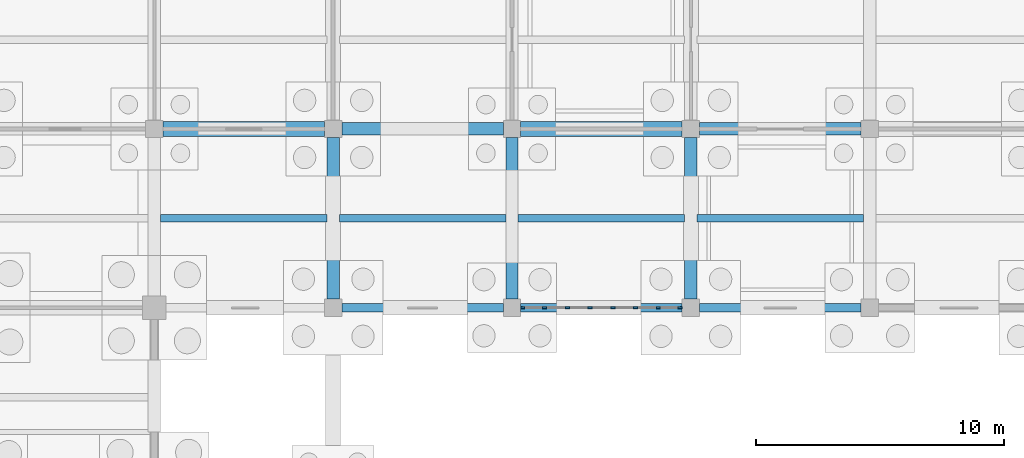
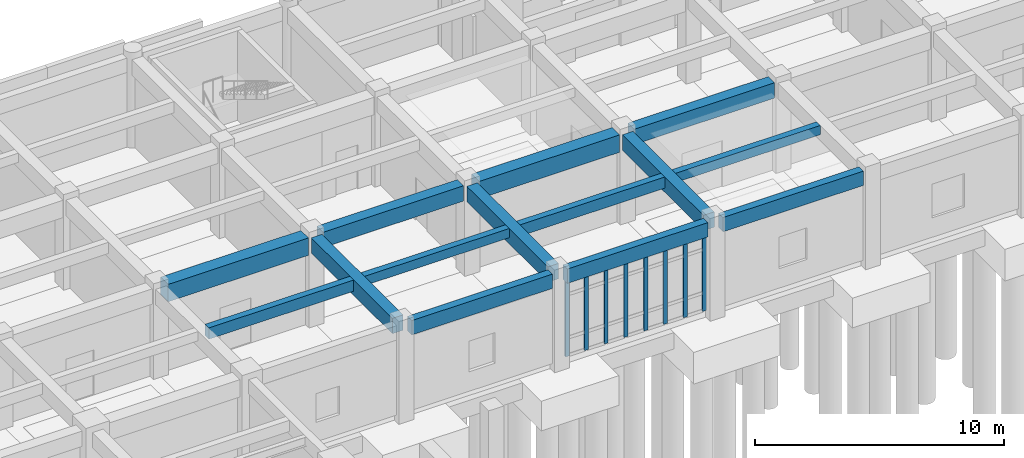
# One storey, part 29 of 79: 14 beams, 8 members, 1 element without a shape of its own.
"""IFC4 building model written with IfcOpenShell, lengths in metres."""

from ifc_helpers import new_model, si_unit, direction, frame, origin, origin_2d, place, context, subcontext, project, spatial, rectangle, extrude, material, layer, layer_set, material_profile, profile_set, type_object, element, aggregate, save


model = new_model("IFC4")

# Units and contexts
model_context = context("Model", 3, precision=1e-05, world=origin(), true_north=direction((0.0, 1.0)))
body_context = subcontext(model_context, "Body", "Model", "MODEL_VIEW")
ifc_project = project(units=[si_unit("LENGTHUNIT", "METRE"), si_unit("AREAUNIT", "SQUARE_METRE"), si_unit("VOLUMEUNIT", "CUBIC_METRE"), si_unit("PLANEANGLEUNIT", "RADIAN"), si_unit("MASSUNIT", "GRAM", prefix="KILO")], contexts=[model_context])

# Site, building, storey
site_placement = place(None, origin())
site = spatial("IfcSite", under=ifc_project, at=site_placement, CompositionType="ELEMENT")
building_placement = place(site_placement, origin())
building = spatial("IfcBuilding", under=site, at=building_placement, Name="Kavelor Marine Aquarium", CompositionType="ELEMENT")
storey_placement = place(building_placement, origin())
storey = spatial("IfcBuildingStorey", under=building, at=storey_placement, Name="L00", CompositionType="ELEMENT", Elevation=0.0)

# Beams
ifc_material_1 = material(Name="Concrete C40/50", Category="concrete")
ifc_material_profile_1 = material_profile(ifc_material_1, rectangle(XDim=0.60009765625, YDim=0.85009765625, at=origin_2d()), Name="RC-BM 600x850")
ifc_profile_set_1 = profile_set([ifc_material_profile_1], Name="Concrete C40/50")
beam_type_1 = type_object("IfcBeamType", Name="BM-B1", PredefinedType="BEAM", material=ifc_profile_set_1)
for number, where, z_axis, x_axis, name in (
    (1, (39.550048828125, 96.39990234375, 3.955078125), (1.0, 0.0, 0.0), (0.0, 1.0, 0.0), "bm:x:L00:L01:05_13"),
    (2, (53.949951171875, 96.39990234375, 3.955078125), (1.0, 0.0, 0.0), (0.0, 1.0, 0.0), "bm:x:L00:L01:07_13"),
):
    element("IfcBeam", number, at=place(storey_placement, frame(where, z_axis=z_axis, x_axis=x_axis)), inside=storey, type_object=beam_type_1, Name=name, PredefinedType="BEAM", context=body_context, shape_type="SweptSolid", body=[
        extrude(rectangle(XDim=0.60009765625, YDim=0.85009765625, at=origin_2d()), origin(), (0.0, 0.0, 1.0), 6.5),
    ])
ifc_material_2 = material(Name="Concrete C40/50", Category="concrete")
ifc_material_profile_2 = material_profile(ifc_material_2, rectangle(XDim=0.5, YDim=0.75, at=origin_2d()), Name="RC-BM 500x750")
ifc_profile_set_2 = profile_set([ifc_material_profile_2], Name="Concrete C40/50")
beam_type_2 = type_object("IfcBeamType", Name="BM-B2", PredefinedType="BEAM", material=ifc_profile_set_2)
for number, where, z_axis, x_axis, name in (
    (3, (46.75, 96.39990234375, 4.0048828125), (1.0, 0.0, 0.0), (0.0, 1.0, 0.0), "bm:x:L00:L01:06_13"),
    (4, (61.14990234375, 96.39990234375, 4.0048828125), (1.0, 0.0, 0.0), (0.0, 1.0, 0.0), "bm:x:L00:L01:08_13"),
    (5, (46.39990234375, 89.550048828125, 4.0048828125), (0.0, 1.0, 0.0), (-1.0, 0.0, 0.0), "bm:y:L00:L01:06_12"),
    (6, (53.60009765625, 89.550048828125, 4.0048828125), (0.0, 1.0, 0.0), (-1.0, 0.0, 0.0), "bm:y:L00:L01:07_12"),
    (7, (60.800048828125, 89.550048828125, 4.0048828125), (0.0, 1.0, 0.0), (-1.0, 0.0, 0.0), "bm:y:L00:L01:08_12"),
):
    element("IfcBeam", number, at=place(storey_placement, frame(where, z_axis=z_axis, x_axis=x_axis)), inside=storey, type_object=beam_type_2, Name=name, PredefinedType="BEAM", context=body_context, shape_type="SweptSolid", body=[
        extrude(rectangle(XDim=0.5, YDim=0.75, at=origin_2d()), origin(), (0.0, 0.0, 1.0), 6.5),
    ])
ifc_material_3 = material(Name="Concrete C40/50", Category="concrete")
ifc_material_profile_3 = material_profile(ifc_material_3, rectangle(XDim=0.300048828125, YDim=0.449951171875, at=origin_2d()), Name="RC-JS 300x450")
ifc_profile_set_3 = profile_set([ifc_material_profile_3], Name="Concrete C40/50")
beam_type_3 = type_object("IfcBeamType", Name="BM-JS1", PredefinedType="JOIST", material=ifc_profile_set_3)
beam_1_placement = place(storey_placement, frame((46.64990234375, 92.800048828125, 4.155029296875), z_axis=(1.0, 0.0, 0.0), x_axis=(0.0, 1.0, 0.0)))
element("IfcBeam", 8, at=beam_1_placement, inside=storey, type_object=beam_type_3, Name="js:L00:L01:06_12", PredefinedType="JOIST", context=body_context, shape_type="SweptSolid", body=[
    extrude(rectangle(XDim=0.300048828125, YDim=0.449951171875, at=origin_2d()), origin(), (0.0, 0.0, 1.0), 6.7001953125),
])
beam_2_placement = place(storey_placement, frame((61.050048828125, 92.800048828125, 4.155029296875), z_axis=(1.0, 0.0, 0.0), x_axis=(0.0, 1.0, 0.0)))
element("IfcBeam", 9, at=beam_2_placement, inside=storey, type_object=beam_type_3, Name="js:L00:L01:08_12", PredefinedType="JOIST", context=body_context, shape_type="SweptSolid", body=[
    extrude(rectangle(XDim=0.300048828125, YDim=0.449951171875, at=origin_2d()), origin(), (0.0, 0.0, 1.0), 6.699951171875),
])
ifc_material_4 = material(Name="Concrete C40/50", Category="concrete")
ifc_material_profile_4 = material_profile(ifc_material_4, rectangle(XDim=0.300048828125, YDim=0.550048828125, at=origin_2d()), Name="RC-JS 300x550")
ifc_profile_set_4 = profile_set([ifc_material_profile_4], Name="Concrete C40/50")
beam_type_4 = type_object("IfcBeamType", Name="BM-JS2", PredefinedType="JOIST", material=ifc_profile_set_4)
for number, where, z_axis, x_axis, name in (
    (10, (39.449951171875, 92.800048828125, 4.10498046875), (1.0, 0.0, 0.0), (0.0, 1.0, 0.0), "js:L00:L01:05_12"),
    (11, (53.85009765625, 92.800048828125, 4.10498046875), (1.0, 0.0, 0.0), (0.0, 1.0, 0.0), "js:L00:L01:07_12"),
):
    element("IfcBeam", number, at=place(storey_placement, frame(where, z_axis=z_axis, x_axis=x_axis)), inside=storey, type_object=beam_type_4, Name=name, PredefinedType="JOIST", context=body_context, shape_type="SweptSolid", body=[
        extrude(rectangle(XDim=0.300048828125, YDim=0.550048828125, at=origin_2d()), origin(), (0.0, 0.0, 1.0), 6.699951171875),
    ])
ifc_material_5 = material(Name="Concrete C40/50", Category="concrete")
ifc_material_profile_5 = material_profile(ifc_material_5, rectangle(XDim=0.35009765625, YDim=0.699951171875, at=origin_2d()), Name="RC-SP 350x700")
ifc_profile_set_5 = profile_set([ifc_material_profile_5], Name="Concrete C40/50")
beam_type_5 = type_object("IfcBeamType", Name="BM-SP1", PredefinedType="SPANDREL", material=ifc_profile_set_5)
for number, where, z_axis, x_axis, name in (
    (12, (46.75, 89.199951171875, 4.030029296875), (1.0, 0.0, 0.0), (0.0, 1.0, 0.0), "bm:x:L00:L01:06_12"),
    (13, (53.949951171875, 89.199951171875, 4.030029296875), (1.0, 0.0, 0.0), (0.0, 1.0, 0.0), "bm:x:L00:L01:07_12"),
    (14, (61.14990234375, 89.199951171875, 4.030029296875), (1.0, 0.0, 0.0), (0.0, 1.0, 0.0), "bm:x:L00:L01:08_12"),
):
    element("IfcBeam", number, at=place(storey_placement, frame(where, z_axis=z_axis, x_axis=x_axis)), inside=storey, type_object=beam_type_5, Name=name, PredefinedType="SPANDREL", context=body_context, shape_type="SweptSolid", body=[
        extrude(rectangle(XDim=0.35009765625, YDim=0.699951171875, at=origin_2d()), origin(), (0.0, 0.0, 1.0), 6.5),
    ])

# Curtain wall, members
ifc_material_6 = material(Name="Thermally Broken Aluminium and Low-E Glass", Category="aluminium")
ifc_layer = layer(ifc_material_6, 0.14794921875)
ifc_layer_set = layer_set([ifc_layer], Name="CW-SYS1")
curtain_wall_type = type_object("IfcCurtainWallType", Name="CW-SYS1", PredefinedType="USERDEFINED", material=ifc_layer_set)
curtain_wall_placement = place(storey_placement, origin())
curtain_wall = element("IfcCurtainWall", 15, at=curtain_wall_placement, inside=storey, type_object=curtain_wall_type, Name="cw:x:L00:07_12", ObjectType="Curtain Wall", PredefinedType="USERDEFINED")
ifc_material_7 = material(Name="Anodised Aluminium Alloy 6063-T6", Category="aluminium")
ifc_material_profile_6 = material_profile(ifc_material_7, rectangle(XDim=0.074951171875, YDim=0.179931640625, at=origin_2d()), Name="CW-MUL 75x180")
ifc_profile_set_6 = profile_set([ifc_material_profile_6], Name="Anodised Aluminium Alloy 6063-T6")
member_type = type_object("IfcMemberType", Name="CWM-1", PredefinedType="MULLION", material=ifc_profile_set_6)
member_1_placement = place(storey_placement, frame((60.367431640625, 89.199951171875, 0.0), z_axis=(0.0, 0.0, 1.0), x_axis=(0.0, -1.0, 0.0)))
member_1 = element("IfcMember", 16, at=member_1_placement, type_object=member_type, Name="CW01 mullion 1", PredefinedType="MULLION", context=body_context, shape_type="SweptSolid", body=[
    extrude(rectangle(XDim=0.074951171875, YDim=0.179931640625, at=origin_2d()), origin(), (0.0, 0.0, 1.0), 3.669921875),
])
member_2_placement = place(storey_placement, frame((59.4892578125, 89.199951171875, 0.0), z_axis=(0.0, 0.0, 1.0), x_axis=(0.0, -1.0, 0.0)))
member_2 = element("IfcMember", 17, at=member_2_placement, type_object=member_type, Name="CW01 mullion 2", PredefinedType="MULLION", context=body_context, shape_type="SweptSolid", body=[
    extrude(rectangle(XDim=0.074951171875, YDim=0.179931640625, at=origin_2d()), origin(), (0.0, 0.0, 1.0), 3.669921875),
])
member_3_placement = place(storey_placement, frame((58.573486328125, 89.199951171875, 0.0), z_axis=(0.0, 0.0, 1.0), x_axis=(0.0, -1.0, 0.0)))
member_3 = element("IfcMember", 18, at=member_3_placement, type_object=member_type, Name="CW01 mullion 3", PredefinedType="MULLION", context=body_context, shape_type="SweptSolid", body=[
    extrude(rectangle(XDim=0.074951171875, YDim=0.179931640625, at=origin_2d()), origin(), (0.0, 0.0, 1.0), 3.669921875),
])
member_4_placement = place(storey_placement, frame((57.657958984375, 89.199951171875, 0.0), z_axis=(0.0, 0.0, 1.0), x_axis=(0.0, -1.0, 0.0)))
member_4 = element("IfcMember", 19, at=member_4_placement, type_object=member_type, Name="CW01 mullion 4", PredefinedType="MULLION", context=body_context, shape_type="SweptSolid", body=[
    extrude(rectangle(XDim=0.074951171875, YDim=0.179931640625, at=origin_2d()), origin(), (0.0, 0.0, 1.0), 3.669921875),
])
member_5_placement = place(storey_placement, frame((56.7421875, 89.199951171875, 0.0), z_axis=(0.0, 0.0, 1.0), x_axis=(0.0, -1.0, 0.0)))
member_5 = element("IfcMember", 20, at=member_5_placement, type_object=member_type, Name="CW01 mullion 5", PredefinedType="MULLION", context=body_context, shape_type="SweptSolid", body=[
    extrude(rectangle(XDim=0.074951171875, YDim=0.179931640625, at=origin_2d()), origin(), (0.0, 0.0, 1.0), 3.669921875),
])
member_6_placement = place(storey_placement, frame((55.826416015625, 89.199951171875, 0.0), z_axis=(0.0, 0.0, 1.0), x_axis=(0.0, -1.0, 0.0)))
member_6 = element("IfcMember", 21, at=member_6_placement, type_object=member_type, Name="CW01 mullion 6", PredefinedType="MULLION", context=body_context, shape_type="SweptSolid", body=[
    extrude(rectangle(XDim=0.074951171875, YDim=0.179931640625, at=origin_2d()), origin(), (0.0, 0.0, 1.0), 3.669921875),
])
member_7_placement = place(storey_placement, frame((54.91064453125, 89.199951171875, 0.0), z_axis=(0.0, 0.0, 1.0), x_axis=(0.0, -1.0, 0.0)))
member_7 = element("IfcMember", 22, at=member_7_placement, type_object=member_type, Name="CW01 mullion 7", PredefinedType="MULLION", context=body_context, shape_type="SweptSolid", body=[
    extrude(rectangle(XDim=0.074951171875, YDim=0.179931640625, at=origin_2d()), origin(), (0.0, 0.0, 1.0), 3.669921875),
])
member_8_placement = place(storey_placement, frame((54.032470703125, 89.199951171875, 0.0), z_axis=(0.0, 0.0, 1.0), x_axis=(0.0, -1.0, 0.0)))
member_8 = element("IfcMember", 23, at=member_8_placement, type_object=member_type, Name="CW01 mullion 8", PredefinedType="MULLION", context=body_context, shape_type="SweptSolid", body=[
    extrude(rectangle(XDim=0.074951171875, YDim=0.179931640625, at=origin_2d()), origin(), (0.0, 0.0, 1.0), 3.669921875),
])
aggregate(curtain_wall, [member_1, member_2, member_3, member_4, member_5, member_6, member_7, member_8])

save(model, "model.ifc")
